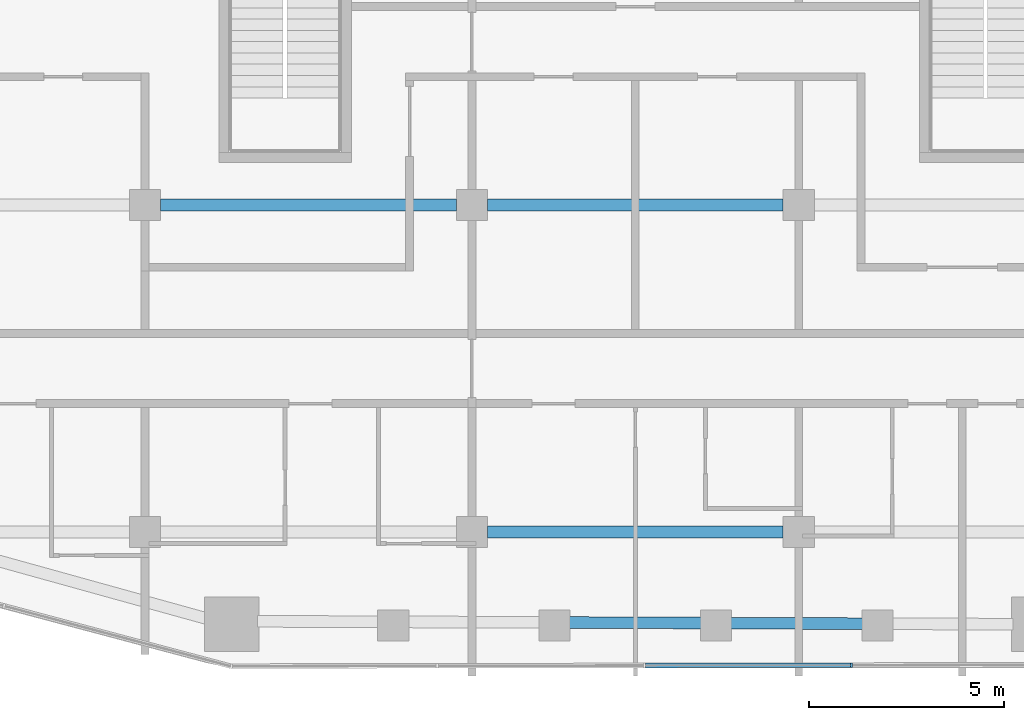
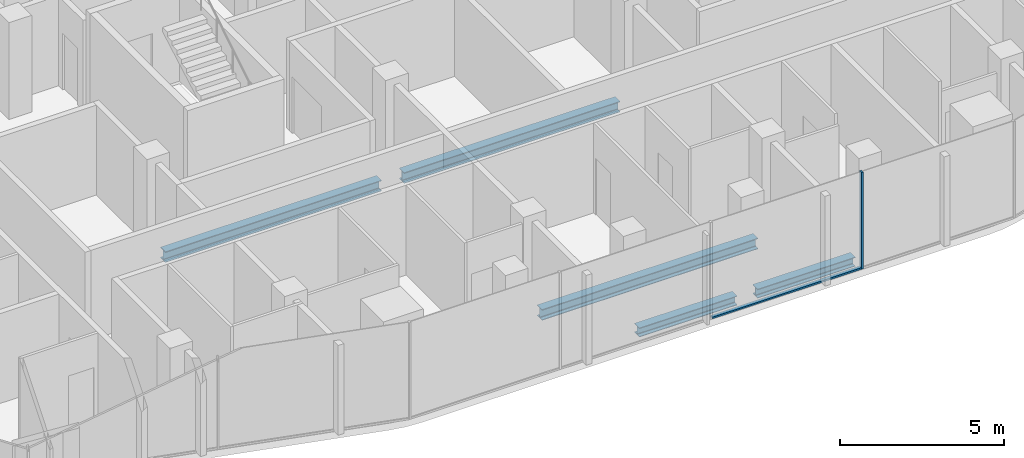
# One storey, part 3 of 22: 5 beams, 2 members, 1 element without a shape of its own.
"""IFC4 building model written with IfcOpenShell, lengths in metres."""

from ifc_helpers import new_model, si_unit, direction, frame, origin, origin_2d, place, context, subcontext, project, spatial, rectangle, i_section, extrude, material, layer, layer_set, material_profile, profile_set, type_object, element, aggregate, save


model = new_model("IFC4")

# Units and contexts
model_context = context("Model", 3, precision=1e-05, world=origin(), true_north=direction((0.0, 1.0)))
body_context = subcontext(model_context, "Body", "Model", "MODEL_VIEW")
ifc_project = project(units=[si_unit("LENGTHUNIT", "METRE"), si_unit("AREAUNIT", "SQUARE_METRE"), si_unit("VOLUMEUNIT", "CUBIC_METRE"), si_unit("PLANEANGLEUNIT", "RADIAN"), si_unit("MASSUNIT", "GRAM", prefix="KILO")], contexts=[model_context])

# Site, building, storey
site_placement = place(None, origin())
site = spatial("IfcSite", under=ifc_project, at=site_placement, CompositionType="ELEMENT")
building_placement = place(site_placement, origin())
building = spatial("IfcBuilding", under=site, at=building_placement, Name="Marenta Gate Hotel Tower", CompositionType="ELEMENT")
storey_placement = place(building_placement, frame((0.0, 0.0, 223.699951171875)))
storey = spatial("IfcBuildingStorey", under=building, at=storey_placement, Name="L52", CompositionType="ELEMENT", Elevation=223.699951171875)

# Beams
ifc_material_1 = material(Name="Steel S355", Category="steel")
ifc_material_profile_1 = material_profile(ifc_material_1, i_section(OverallWidth=0.300048828125, OverallDepth=0.340087890625, WebThickness=0.011962890625, FlangeThickness=0.021484375, FilletRadius=0.027099609375, at=origin_2d()), Name="HEB 340")
ifc_profile_set_1 = profile_set([ifc_material_profile_1], Name="Steel S355")
beam_type_1 = type_object("IfcBeamType", Name="Edge beam HEB 340", PredefinedType="SPANDREL", material=ifc_profile_set_1)
for number, where, z_axis, x_axis, name in (
    (1, (5.860107421875, -27.555419921875, -0.429931640625), (-0.999992599416, 0.003847221457, 0.0), (-0.003847221457, -0.999992599416, 0.0), "L52-EB-33"),
    (2, (1.71337890625, -27.539306640625, -0.429931640625), (-0.999992599416, 0.003847221457, 0.0), (-0.003847221457, -0.999992599416, 0.0), "L52-EB-34"),
):
    element("IfcBeam", number, at=place(storey_placement, frame(where, z_axis=z_axis, x_axis=x_axis)), inside=storey, type_object=beam_type_1, Name=name, PredefinedType="SPANDREL", context=body_context, shape_type="SweptSolid", body=[
        extrude(i_section(OverallWidth=0.300048828125, OverallDepth=0.340087890625, WebThickness=0.011962890625, FlangeThickness=0.021484375, FilletRadius=0.027099609375, at=origin_2d()), origin(), (0.0, 0.0, 1.0), 3.4267578125),
    ])
ifc_material_2 = material(Name="Steel S355", Category="steel")
ifc_material_profile_2 = material_profile(ifc_material_2, i_section(OverallWidth=0.300048828125, OverallDepth=0.39990234375, WebThickness=0.013427734375, FlangeThickness=0.02392578125, FilletRadius=0.027099609375, at=origin_2d()), Name="HEB 400")
ifc_profile_set_2 = profile_set([ifc_material_profile_2], Name="Steel S355")
beam_type_2 = type_object("IfcBeamType", Name="Girder HEB 400", PredefinedType="BEAM", material=ifc_profile_set_2)
beam_1_placement = place(storey_placement, frame((-3.800048828125, -25.199951171875, -0.4599609375), z_axis=(1.0, 0.0, 0.0), x_axis=(0.0, 1.0, 0.0)))
element("IfcBeam", 3, at=beam_1_placement, inside=storey, type_object=beam_type_2, Name="L52-GD-3", PredefinedType="BEAM", context=body_context, shape_type="SweptSolid", body=[
    extrude(i_section(OverallWidth=0.300048828125, OverallDepth=0.39990234375, WebThickness=0.013427734375, FlangeThickness=0.02392578125, FilletRadius=0.027099609375, at=origin_2d()), origin(), (0.0, 0.0, 1.0), 7.60009765625),
])
beam_2_placement = place(storey_placement, frame((-12.199951171875, -16.800048828125, -0.4599609375), z_axis=(1.0, 0.0, 0.0), x_axis=(0.0, 1.0, 0.0)))
element("IfcBeam", 4, at=beam_2_placement, inside=storey, type_object=beam_type_2, Name="L52-GD-8", PredefinedType="BEAM", context=body_context, shape_type="SweptSolid", body=[
    extrude(i_section(OverallWidth=0.300048828125, OverallDepth=0.39990234375, WebThickness=0.013427734375, FlangeThickness=0.02392578125, FilletRadius=0.027099609375, at=origin_2d()), origin(), (0.0, 0.0, 1.0), 7.599853515625),
])
beam_3_placement = place(storey_placement, frame((-3.800048828125, -16.800048828125, -0.4599609375), z_axis=(1.0, 0.0, 0.0), x_axis=(0.0, 1.0, 0.0)))
element("IfcBeam", 5, at=beam_3_placement, inside=storey, type_object=beam_type_2, Name="L52-GD-9", PredefinedType="BEAM", context=body_context, shape_type="SweptSolid", body=[
    extrude(i_section(OverallWidth=0.300048828125, OverallDepth=0.39990234375, WebThickness=0.013427734375, FlangeThickness=0.02392578125, FilletRadius=0.027099609375, at=origin_2d()), origin(), (0.0, 0.0, 1.0), 7.60009765625),
])

# Curtain wall, members
ifc_material_3 = material(Name="Tinted insulated glass in bronze anodised frame", Category="glass")
ifc_layer = layer(ifc_material_3, 0.1201171875)
ifc_layer_set = layer_set([ifc_layer], Name="Tinted insulated glass in bronze anodised frame")
curtain_wall_type = type_object("IfcCurtainWallType", Name="Tower unitised curtain wall CW1", PredefinedType="NOTDEFINED", material=ifc_layer_set)
curtain_wall_placement = place(storey_placement, origin())
curtain_wall = element("IfcCurtainWall", 6, at=curtain_wall_placement, inside=storey, type_object=curtain_wall_type, Name="CW1 run G07", PredefinedType="NOTDEFINED")
ifc_material_4 = material(Name="Bronze anodised aluminium", Category="aluminium")
ifc_material_profile_3 = material_profile(ifc_material_4, rectangle(XDim=0.1201171875, YDim=0.06005859375, at=origin_2d()), Name="Mullion CW1 60x120 bronze anodised aluminium")
ifc_profile_set_3 = profile_set([ifc_material_profile_3], Name="Bronze anodised aluminium")
member_type_1 = type_object("IfcMemberType", Name="Mullion CW1 60x120 bronze anodised aluminium", PredefinedType="MULLION", material=ifc_profile_set_3)
member_1_placement = place(storey_placement, frame((5.5537109375, -28.621337890625, 0.0), z_axis=(0.0, 0.0, 1.0), x_axis=(-0.001644757804, 0.999998647385, 0.0)))
member_1 = element("IfcMember", 7, at=member_1_placement, type_object=member_type_1, Name="CW1 mullion 4", PredefinedType="MULLION", context=body_context, shape_type="SweptSolid", body=[
    extrude(rectangle(XDim=0.1201171875, YDim=0.06005859375, at=origin_2d()), origin(), (0.0, 0.0, 1.0), 3.60009765625),
])
ifc_material_5 = material(Name="Bronze anodised aluminium", Category="aluminium")
ifc_material_profile_4 = material_profile(ifc_material_5, rectangle(XDim=0.1201171875, YDim=0.06005859375, at=origin_2d()), Name="Transom CW1 60x120 bronze anodised aluminium")
ifc_profile_set_4 = profile_set([ifc_material_profile_4], Name="Bronze anodised aluminium")
member_type_2 = type_object("IfcMemberType", Name="Transom CW1 60x120 bronze anodised aluminium", PredefinedType="USERDEFINED", material=ifc_profile_set_4)
member_2_placement = place(storey_placement, frame((0.263916015625, -28.6298828125, 0.030029296875), z_axis=(0.999998680369, 0.001624580106, 0.0), x_axis=(-0.001624580106, 0.999998680369, 0.0)))
member_2 = element("IfcMember", 8, at=member_2_placement, type_object=member_type_2, Name="CW1 transom 3.1", ObjectType="TRANSOM", PredefinedType="USERDEFINED", context=body_context, shape_type="SweptSolid", body=[
    extrude(rectangle(XDim=0.1201171875, YDim=0.06005859375, at=origin_2d()), origin(), (0.0, 0.0, 1.0), 5.259765625),
])
aggregate(curtain_wall, [member_1, member_2])

save(model, "model.ifc")
